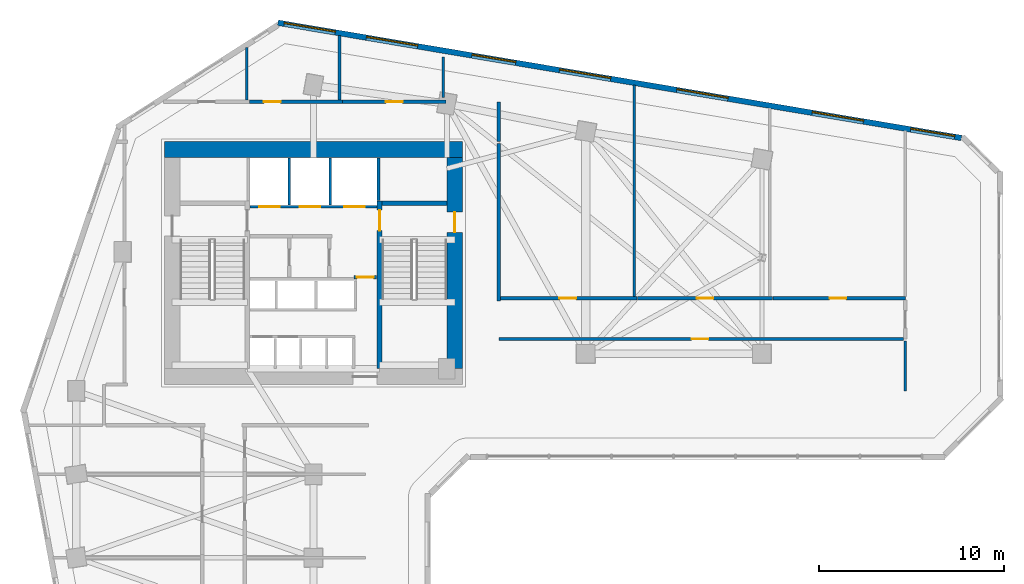
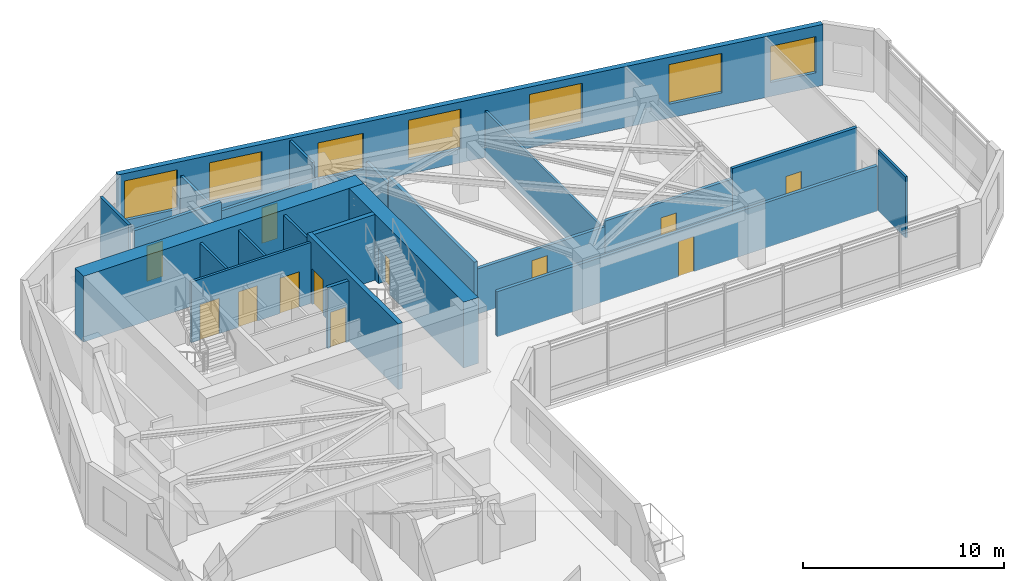
# One storey, part 8 of 11: 23 walls, 12 doors, 7 windows, 19 openings.
"""IFC4 building model written with IfcOpenShell, lengths in metres."""

from ifc_helpers import new_model, si_unit, direction, frame, frame_2d, origin, place, context, subcontext, project, spatial, rectangle, extrude, source, transform, mapped, material, layer, layer_set, type_object, element, fill, save


model = new_model("IFC4")

# Units and contexts
model_context = context("Model", 3, precision=1e-05, world=origin(), true_north=direction((0.0, 1.0)))
body_context = subcontext(model_context, "Body", "Model", "MODEL_VIEW")
ifc_project = project(units=[si_unit("LENGTHUNIT", "METRE"), si_unit("AREAUNIT", "SQUARE_METRE"), si_unit("VOLUMEUNIT", "CUBIC_METRE"), si_unit("PLANEANGLEUNIT", "RADIAN"), si_unit("MASSUNIT", "GRAM", prefix="KILO")], contexts=[model_context])

# Site, building, storey
site_placement = place(None, origin())
site = spatial("IfcSite", under=ifc_project, at=site_placement, CompositionType="ELEMENT")
building_placement = place(site_placement, origin())
building = spatial("IfcBuilding", under=site, at=building_placement, Name="Calvemar Wedge Station Tower", CompositionType="ELEMENT")
storey_placement = place(building_placement, frame((0.0, 0.0, 59.0)))
storey = spatial("IfcBuildingStorey", under=building, at=storey_placement, Name="L14", CompositionType="ELEMENT", Elevation=59.0)

# Wall, opening, door
ifc_material_1 = material(Name="Concrete C50", Category="concrete")
ifc_layer_1 = layer(ifc_material_1, 0.260009765625)
ifc_layer_set_1 = layer_set([ifc_layer_1], Name="Concrete C50")
wall_type_1 = type_object("IfcWallType", Name="SW-CORE-260", PredefinedType="SHEAR", material=ifc_layer_set_1)
wall_1_placement = place(storey_placement, frame((27.3701171875, 34.199951171875, 0.0), z_axis=(0.0, 0.0, 1.0), x_axis=(0.0, 1.0, 0.0)))
wall_1 = element("IfcWall", 1, at=wall_1_placement, inside=storey, type_object=wall_type_1, Name="Storey L14 Core Shear Wall SPINE-E", PredefinedType="SHEAR", context=body_context, shape_type="SweptSolid", body=[
    extrude(rectangle(XDim=9.06005859375, YDim=0.260009765625, at=frame_2d((4.530029296875, 0.0))), origin(), (0.0, 0.0, 1.0), 4.0),
])
shared_shape_1 = source(origin(), body_context, "Body", "SweptSolid", [
    extrude(rectangle(XDim=1.10009765625, YDim=2.14990234375, at=frame_2d((0.550048828125, 1.074951171875))), frame((0.0, 0.14013671875, 0.0), z_axis=(0.0, -1.0, 0.0), x_axis=(1.0, 0.0, 0.0)), (0.0, 0.0, 1.0), 0.280029296875),
])
opening_1_placement = place(wall_1_placement, frame((7.449951171875, 0.0, 0.0)))
opening_1 = element("IfcOpeningElement", 2, at=opening_1_placement, cuts=wall_1, Name="Opening FD-90", PredefinedType="OPENING", context=body_context, shape_type="MappedRepresentation", body=[
    mapped(shared_shape_1, transform((0.0, 0.0, 0.0), scale=1.0)),
])
ifc_material_2 = material(Name="Galvanized fire-rated steel door leaf P-90", Category="steel")
door_type_1 = type_object("IfcDoorType", Name="DR-FD90-1100", OperationType="NOTDEFINED", PredefinedType="DOOR", material=ifc_material_2)
shared_shape_2 = source(origin(), body_context, "Body", "SweptSolid", [
    extrude(rectangle(XDim=1.10009765625, YDim=2.14990234375, at=frame_2d((0.550048828125, 1.074951171875))), frame((0.0, 0.02490234375, 0.0), z_axis=(0.0, -1.0, 0.0), x_axis=(1.0, 0.0, 0.0)), (0.0, 0.0, 1.0), 0.050048828125),
])
door_1_placement = place(opening_1_placement, origin())
door_1 = element("IfcDoor", 3, at=door_1_placement, inside=storey, type_object=door_type_1, Name="L14 FF Lobby to Stair ST-C2 Door", OperationType="SINGLE_SWING_RIGHT", OverallHeight=2.14990234375, OverallWidth=1.10009765625, PredefinedType="DOOR", context=body_context, shape_type="MappedRepresentation", body=[
    mapped(shared_shape_2, transform((0.0, 0.0, 0.0), scale=1.0)),
])
fill(opening_1, door_1)

# Walls
wall_2_placement = place(storey_placement, frame((27.5, 43.1298828125, 0.0), z_axis=(0.0, 0.0, 1.0), x_axis=(1.0, 0.0, 0.0)))
element("IfcWall", 4, at=wall_2_placement, inside=storey, type_object=wall_type_1, Name="Storey L14 Core Shear Wall STC2-N", PredefinedType="SHEAR", context=body_context, shape_type="SweptSolid", body=[
    extrude(rectangle(XDim=3.5, YDim=0.260009765625, at=frame_2d((1.75, 0.0))), origin(), (0.0, 0.0, 1.0), 4.0),
])
ifc_material_3 = material(Name="Concrete C80", Category="concrete")
ifc_layer_2 = layer(ifc_material_3, 0.85009765625)
ifc_layer_set_2 = layer_set([ifc_layer_2], Name="Concrete C80")
wall_type_2 = type_object("IfcWallType", Name="SW-CORE-850", PredefinedType="SHEAR", material=ifc_layer_set_2)
wall_3_placement = place(storey_placement, frame((15.75, 46.02490234375, 0.0), z_axis=(0.0, 0.0, 1.0), x_axis=(1.0, 0.0, 0.0)))
element("IfcWall", 5, at=wall_3_placement, inside=storey, type_object=wall_type_2, Name="Storey L14 Core Shear Wall N", PredefinedType="SHEAR", context=body_context, shape_type="SweptSolid", body=[
    extrude(rectangle(XDim=16.10009765625, YDim=0.85009765625, at=frame_2d((8.050048828125, 0.0))), origin(), (0.0, 0.0, 1.0), 4.0),
])

# Wall, opening, door
wall_4_placement = place(storey_placement, frame((31.425048828125, 34.199951171875, 0.0), z_axis=(0.0, 0.0, 1.0), x_axis=(0.0, 1.0, 0.0)))
wall_4 = element("IfcWall", 6, at=wall_4_placement, inside=storey, type_object=wall_type_2, Name="Storey L14 Core Shear Wall E", PredefinedType="SHEAR", context=body_context, shape_type="SweptSolid", body=[
    extrude(rectangle(XDim=11.400146484375, YDim=0.85009765625, at=frame_2d((5.7001953125, 0.0))), origin(), (0.0, 0.0, 1.0), 4.0),
])
shared_shape_3 = source(origin(), body_context, "Body", "SweptSolid", [
    extrude(rectangle(XDim=1.10009765625, YDim=2.14990234375, at=frame_2d((0.550048828125, 1.074951171875))), frame((0.0, 0.43505859375, 0.0), z_axis=(0.0, -1.0, 0.0), x_axis=(1.0, 0.0, 0.0)), (0.0, 0.0, 1.0), 0.8701171875),
])
opening_2_placement = place(wall_4_placement, frame((7.35009765625, 0.0, 0.0)))
opening_2 = element("IfcOpeningElement", 7, at=opening_2_placement, cuts=wall_4, Name="Opening FD-90", PredefinedType="OPENING", context=body_context, shape_type="MappedRepresentation", body=[
    mapped(shared_shape_3, transform((0.0, 0.0, 0.0), scale=1.0)),
])
door_2_placement = place(opening_2_placement, origin())
door_2 = element("IfcDoor", 8, at=door_2_placement, inside=storey, type_object=door_type_1, Name="L14 East Corridor to Exit Stair ST-C2 Door", OperationType="SINGLE_SWING_RIGHT", OverallHeight=2.14990234375, OverallWidth=1.10009765625, PredefinedType="DOOR", context=body_context, shape_type="MappedRepresentation", body=[
    mapped(shared_shape_2, transform((0.0, 0.0, 0.0), scale=1.0)),
])
fill(opening_2, door_2)

ifc_material_4 = material(Name="Double-stud fire-rated corridor partition")
ifc_layer_3 = layer(ifc_material_4, 0.179931640625)
ifc_layer_set_3 = layer_set([ifc_layer_3], Name="Double-stud fire-rated corridor partition")
wall_type_3 = type_object("IfcWallType", Name="W-CORR-180", PredefinedType="PARTITIONING", material=ifc_layer_set_3)
wall_5_placement = place(storey_placement, frame((27.199951171875, 39.1298828125, 0.0), z_axis=(0.0, 0.0, 1.0), x_axis=(-1.0, 0.0, 0.0)))
wall_5 = element("IfcWall", 9, at=wall_5_placement, inside=storey, type_object=wall_type_3, Name="Storey L14 Interior Partition WL-L14-005", PredefinedType="PARTITIONING", context=body_context, shape_type="SweptSolid", body=[
    extrude(rectangle(XDim=1.2099609375, YDim=0.179931640625, at=frame_2d((0.60498046875, 0.0))), origin(), (0.0, 0.0, 1.0), 3.699951171875),
])
shared_shape_4 = source(origin(), body_context, "Body", "SweptSolid", [
    extrude(rectangle(XDim=0.89990234375, YDim=2.14990234375, at=frame_2d((0.449951171875, 1.074951171875))), frame((0.0, 0.10009765625, 0.0), z_axis=(0.0, -1.0, 0.0), x_axis=(1.0, 0.0, 0.0)), (0.0, 0.0, 1.0), 0.199951171875),
])
opening_3_placement = place(wall_5_placement, frame((0.155029296875, 0.0, 0.0)))
opening_3 = element("IfcOpeningElement", 10, at=opening_3_placement, cuts=wall_5, Name="Opening FD-60", PredefinedType="OPENING", context=body_context, shape_type="MappedRepresentation", body=[
    mapped(shared_shape_4, transform((0.0, 0.0, 0.0), scale=1.0)),
])
ifc_material_5 = material(Name="Fire-rated acoustic timber-core entrance door EI 60", Category="wood")
door_type_2 = type_object("IfcDoorType", Name="DR-FD60-900", OperationType="NOTDEFINED", PredefinedType="DOOR", material=ifc_material_5)
shared_shape_5 = source(origin(), body_context, "Body", "SweptSolid", [
    extrude(rectangle(XDim=0.89990234375, YDim=2.14990234375, at=frame_2d((0.449951171875, 1.074951171875))), frame((0.0, 0.02490234375, 0.0), z_axis=(0.0, -1.0, 0.0), x_axis=(1.0, 0.0, 0.0)), (0.0, 0.0, 1.0), 0.050048828125),
])
door_3_placement = place(opening_3_placement, origin())
door_3 = element("IfcDoor", 11, at=door_3_placement, inside=storey, type_object=door_type_2, Name="L14 Core Service Lobby Door", OperationType="SINGLE_SWING_LEFT", OverallHeight=2.14990234375, OverallWidth=0.89990234375, PredefinedType="DOOR", context=body_context, shape_type="MappedRepresentation", body=[
    mapped(shared_shape_5, transform((0.0, 0.0, 0.0), scale=1.0)),
])
fill(opening_3, door_3)

wall_6_placement = place(storey_placement, frame((20.362060546875, 48.60009765625, 0.0), z_axis=(0.0, 0.0, 1.0), x_axis=(1.0, 0.0, 0.0)))
wall_6 = element("IfcWall", 12, at=wall_6_placement, inside=storey, type_object=wall_type_3, Name="Storey L14 Interior Partition WL-L14-013", PredefinedType="PARTITIONING", context=body_context, shape_type="SweptSolid", body=[
    extrude(rectangle(XDim=4.998046875, YDim=0.179931640625, at=frame_2d((2.4990234375, 0.0))), origin(), (0.0, 0.0, 1.0), 3.384033203125),
])
opening_4_placement = place(wall_6_placement, frame((0.76806640625, 0.0, 0.0)))
opening_4 = element("IfcOpeningElement", 13, at=opening_4_placement, cuts=wall_6, Name="Opening D-01", PredefinedType="OPENING", context=body_context, shape_type="MappedRepresentation", body=[
    mapped(shared_shape_4, transform((0.0, 0.0, 0.0), scale=1.0)),
])
ifc_material_6 = material(Name="Architectural hardwood acoustic swing door", Category="wood")
door_type_3 = type_object("IfcDoorType", Name="DR-INT-900", OperationType="NOTDEFINED", PredefinedType="DOOR", material=ifc_material_6)
shared_shape_6 = source(origin(), body_context, "Body", "SweptSolid", [
    extrude(rectangle(XDim=0.89990234375, YDim=2.14990234375, at=frame_2d((0.449951171875, 1.074951171875))), frame((0.0, 0.02490234375, 0.0), z_axis=(0.0, -1.0, 0.0), x_axis=(1.0, 0.0, 0.0)), (0.0, 0.0, 1.0), 0.050048828125),
])
door_4_placement = place(opening_4_placement, origin())
door_4 = element("IfcDoor", 14, at=door_4_placement, inside=storey, type_object=door_type_3, Name="L14 Pantry Door", OperationType="SINGLE_SWING_RIGHT", OverallHeight=2.14990234375, OverallWidth=0.89990234375, PredefinedType="DOOR", context=body_context, shape_type="MappedRepresentation", body=[
    mapped(shared_shape_6, transform((0.0, 0.0, 0.0), scale=1.0)),
])
fill(opening_4, door_4)

wall_7_placement = place(storey_placement, frame((25.362060546875, 48.60009765625, 0.0), z_axis=(0.0, 0.0, 1.0), x_axis=(1.0, 0.0, 0.0)))
wall_7 = element("IfcWall", 15, at=wall_7_placement, inside=storey, type_object=wall_type_3, Name="Storey L14 Interior Partition WL-L14-014", PredefinedType="PARTITIONING", context=body_context, shape_type="SweptSolid", body=[
    extrude(rectangle(XDim=5.597900390625, YDim=0.179931640625, at=frame_2d((2.798828125, 0.0))), origin(), (0.0, 0.0, 1.0), 2.842041015625),
])
opening_5_placement = place(wall_7_placement, frame((2.34912109375, 0.0, 0.0)))
opening_5 = element("IfcOpeningElement", 16, at=opening_5_placement, cuts=wall_7, Name="Opening D-01", PredefinedType="OPENING", context=body_context, shape_type="MappedRepresentation", body=[
    mapped(shared_shape_4, transform((0.0, 0.0, 0.0), scale=1.0)),
])
door_5_placement = place(opening_5_placement, origin())
door_5 = element("IfcDoor", 17, at=door_5_placement, inside=storey, type_object=door_type_3, Name="L14 Female Toilet Door", OperationType="SINGLE_SWING_LEFT", OverallHeight=2.14990234375, OverallWidth=0.89990234375, PredefinedType="DOOR", context=body_context, shape_type="MappedRepresentation", body=[
    mapped(shared_shape_6, transform((0.0, 0.0, 0.0), scale=1.0)),
])
fill(opening_5, door_5)

# Walls
wall_8_placement = place(storey_placement, frame((33.800048828125, 48.60009765625, 0.0), z_axis=(0.0, 0.0, 1.0), x_axis=(0.0, -1.0, 0.0)))
element("IfcWall", 18, at=wall_8_placement, inside=storey, type_object=wall_type_3, Name="Storey L14 Interior Partition WL-L14-015", PredefinedType="PARTITIONING", context=body_context, shape_type="SweptSolid", body=[
    extrude(rectangle(XDim=2.150146484375, YDim=0.179931640625, at=frame_2d((1.0751953125, 0.0))), origin(), (0.0, 0.0, 1.0), 2.842041015625),
])
wall_9_placement = place(storey_placement, frame((33.800048828125, 46.35595703125, 0.0), z_axis=(0.0, 0.0, 1.0), x_axis=(0.0, -1.0, 0.0)))
element("IfcWall", 19, at=wall_9_placement, inside=storey, type_object=wall_type_3, Name="Storey L14 Interior Partition WL-L14-016", PredefinedType="PARTITIONING", context=body_context, shape_type="SweptSolid", body=[
    extrude(rectangle(XDim=8.515869140625, YDim=0.179931640625, at=frame_2d((4.2578125, 0.0))), origin(), (0.0, 0.0, 1.0), 3.27197265625),
])

# Wall, opening, door
wall_10_placement = place(storey_placement, frame((33.89404296875, 38.0, 0.0), z_axis=(0.0, 0.0, 1.0), x_axis=(1.0, 0.0, 0.0)))
wall_10 = element("IfcWall", 20, at=wall_10_placement, inside=storey, type_object=wall_type_3, Name="Storey L14 Interior Partition WL-L14-020", PredefinedType="PARTITIONING", context=body_context, shape_type="SweptSolid", body=[
    extrude(rectangle(XDim=7.3779296875, YDim=0.179931640625, at=frame_2d((3.68896484375, 0.0))), origin(), (0.0, 0.0, 1.0), 2.741943359375),
])
opening_6_placement = place(wall_10_placement, frame((3.1787109375, 0.0, 0.0)))
opening_6 = element("IfcOpeningElement", 21, at=opening_6_placement, cuts=wall_10, Name="Opening D-01", PredefinedType="OPENING", context=body_context, shape_type="MappedRepresentation", body=[
    mapped(shared_shape_4, transform((0.0, 0.0, 0.0), scale=1.0)),
])
door_6_placement = place(opening_6_placement, origin())
door_6 = element("IfcDoor", 22, at=door_6_placement, inside=storey, type_object=door_type_3, Name="L14 Co-Working Studio Door", OperationType="SINGLE_SWING_RIGHT", OverallHeight=2.14990234375, OverallWidth=0.89990234375, PredefinedType="DOOR", context=body_context, shape_type="MappedRepresentation", body=[
    mapped(shared_shape_6, transform((0.0, 0.0, 0.0), scale=1.0)),
])
fill(opening_6, door_6)

wall_11_placement = place(storey_placement, frame((41.27392578125, 38.0, 0.0), z_axis=(0.0, 0.0, 1.0), x_axis=(1.0, 0.0, 0.0)))
wall_11 = element("IfcWall", 23, at=wall_11_placement, inside=storey, type_object=wall_type_3, Name="Storey L14 Interior Partition WL-L14-021", PredefinedType="PARTITIONING", context=body_context, shape_type="SweptSolid", body=[
    extrude(rectangle(XDim=7.30908203125, YDim=0.179931640625, at=frame_2d((3.654541015625, 0.0))), origin(), (0.0, 0.0, 1.0), 3.074951171875),
])
opening_7_placement = place(wall_11_placement, frame((3.20458984375, 0.0, 0.0)))
opening_7 = element("IfcOpeningElement", 24, at=opening_7_placement, cuts=wall_11, Name="Opening D-01", PredefinedType="OPENING", context=body_context, shape_type="MappedRepresentation", body=[
    mapped(shared_shape_4, transform((0.0, 0.0, 0.0), scale=1.0)),
])
door_7_placement = place(opening_7_placement, origin())
door_7 = element("IfcDoor", 25, at=door_7_placement, inside=storey, type_object=door_type_3, Name="L14 Co-Working Studio Door", OperationType="SINGLE_SWING_LEFT", OverallHeight=2.14990234375, OverallWidth=0.89990234375, PredefinedType="DOOR", context=body_context, shape_type="MappedRepresentation", body=[
    mapped(shared_shape_6, transform((0.0, 0.0, 0.0), scale=1.0)),
])
fill(opening_7, door_7)

wall_12_placement = place(storey_placement, frame((48.5849609375, 38.0, 0.0), z_axis=(0.0, 0.0, 1.0), x_axis=(1.0, 0.0, 0.0)))
wall_12 = element("IfcWall", 26, at=wall_12_placement, inside=storey, type_object=wall_type_3, Name="Storey L14 Interior Partition WL-L14-022", PredefinedType="PARTITIONING", context=body_context, shape_type="SweptSolid", body=[
    extrude(rectangle(XDim=7.150146484375, YDim=0.179931640625, at=frame_2d((3.5751953125, 0.0))), origin(), (0.0, 0.0, 1.0), 3.699951171875),
])
opening_8_placement = place(wall_12_placement, frame((3.064453125, 0.0, 0.0)))
opening_8 = element("IfcOpeningElement", 27, at=opening_8_placement, cuts=wall_12, Name="Opening D-01", PredefinedType="OPENING", context=body_context, shape_type="MappedRepresentation", body=[
    mapped(shared_shape_4, transform((0.0, 0.0, 0.0), scale=1.0)),
])
door_8_placement = place(opening_8_placement, origin())
door_8 = element("IfcDoor", 28, at=door_8_placement, inside=storey, type_object=door_type_3, Name="L14 Meeting Room Door", OperationType="SINGLE_SWING_RIGHT", OverallHeight=2.14990234375, OverallWidth=0.89990234375, PredefinedType="DOOR", context=body_context, shape_type="MappedRepresentation", body=[
    mapped(shared_shape_6, transform((0.0, 0.0, 0.0), scale=1.0)),
])
fill(opening_8, door_8)

wall_13_placement = place(storey_placement, frame((55.64111328125, 35.800048828125, 0.0), z_axis=(0.0, 0.0, 1.0), x_axis=(-1.0, 0.0, 0.0)))
wall_13 = element("IfcWall", 29, at=wall_13_placement, inside=storey, type_object=wall_type_3, Name="Storey L14 Interior Partition WL-L14-024", PredefinedType="PARTITIONING", context=body_context, shape_type="SweptSolid", body=[
    extrude(rectangle(XDim=21.841064453125, YDim=0.179931640625, at=frame_2d((10.92041015625, 0.0))), origin(), (0.0, 0.0, 1.0), 2.741943359375),
])
opening_9_placement = place(wall_13_placement, frame((10.53076171875, 0.0, 0.0)))
opening_9 = element("IfcOpeningElement", 30, at=opening_9_placement, cuts=wall_13, Name="Opening D-01", PredefinedType="OPENING", context=body_context, shape_type="MappedRepresentation", body=[
    mapped(shared_shape_4, transform((0.0, 0.0, 0.0), scale=1.0)),
])
door_9_placement = place(opening_9_placement, origin())
door_9 = element("IfcDoor", 31, at=door_9_placement, inside=storey, type_object=door_type_3, Name="L14 Meeting Room Door", OperationType="SINGLE_SWING_RIGHT", OverallHeight=2.14990234375, OverallWidth=0.89990234375, PredefinedType="DOOR", context=body_context, shape_type="MappedRepresentation", body=[
    mapped(shared_shape_6, transform((0.0, 0.0, 0.0), scale=1.0)),
])
fill(opening_9, door_9)

# Wall, openings, windows
ifc_material_7 = material(Name="Precast concrete C45", Category="concrete")
ifc_layer_4 = layer(ifc_material_7, 0.300048828125)
ifc_layer_set_4 = layer_set([ifc_layer_4], Name="Precast concrete C45")
wall_type_4 = type_object("IfcWallType", Name="W-EXT-GFRC-300", PredefinedType="SOLIDWALL", material=ifc_layer_set_4)
wall_14_placement = place(storey_placement, frame((58.7607421875, 46.648193359375, 0.0), z_axis=(0.0, 0.0, 1.0), x_axis=(-0.98607502735, 0.166301053624, 0.0)))
wall_14 = element("IfcWall", 32, at=wall_14_placement, inside=storey, type_object=wall_type_4, Name="Storey L14 Bronze GFRC Exterior Wall 10", PredefinedType="SOLIDWALL", context=body_context, shape_type="SweptSolid", body=[
    extrude(rectangle(XDim=37.3974609375, YDim=0.300048828125, at=frame_2d((18.69873046875, 0.0))), origin(), (0.0, 0.0, 1.0), 3.699951171875),
])
shared_shape_7 = source(origin(), body_context, "Body", "SweptSolid", [
    extrude(rectangle(XDim=2.39990234375, YDim=2.199951171875, at=frame_2d((1.199951171875, 1.10009765625))), frame((0.0, 0.16015625, 0.0), z_axis=(0.0, -1.0, 0.0), x_axis=(1.0, 0.0, 0.0)), (0.0, 0.0, 1.0), 0.320068359375),
])
opening_10_placement = place(wall_14_placement, frame((0.375, 0.0, 0.85009765625)))
opening_10 = element("IfcOpeningElement", 33, at=opening_10_placement, cuts=wall_14, Name="Opening W1", PredefinedType="OPENING", context=body_context, shape_type="MappedRepresentation", body=[
    mapped(shared_shape_7, transform((0.0, 0.0, 0.0), scale=1.0)),
])
shared_shape_8 = source(origin(), body_context, "Body", "SweptSolid", [
    extrude(rectangle(XDim=2.800048828125, YDim=2.39990234375, at=frame_2d((1.39990234375, 1.199951171875))), frame((0.0, 0.16015625, 0.0), z_axis=(0.0, -1.0, 0.0), x_axis=(1.0, 0.0, 0.0)), (0.0, 0.0, 1.0), 0.320068359375),
])
opening_11_placement = place(wall_14_placement, frame((5.35693359375, 0.0, 0.85009765625)))
opening_11 = element("IfcOpeningElement", 34, at=opening_11_placement, cuts=wall_14, Name="Opening W6", PredefinedType="OPENING", context=body_context, shape_type="MappedRepresentation", body=[
    mapped(shared_shape_8, transform((0.0, 0.0, 0.0), scale=1.0)),
])
opening_12_placement = place(wall_14_placement, frame((12.77197265625, 0.0, 0.85009765625)))
opening_12 = element("IfcOpeningElement", 35, at=opening_12_placement, cuts=wall_14, Name="Opening W6", PredefinedType="OPENING", context=body_context, shape_type="MappedRepresentation", body=[
    mapped(shared_shape_8, transform((0.0, 0.0, 0.0), scale=1.0)),
])
opening_13_placement = place(wall_14_placement, frame((19.194091796875, 0.0, 0.85009765625)))
opening_13 = element("IfcOpeningElement", 36, at=opening_13_placement, cuts=wall_14, Name="Opening W6", PredefinedType="OPENING", context=body_context, shape_type="MappedRepresentation", body=[
    mapped(shared_shape_8, transform((0.0, 0.0, 0.0), scale=1.0)),
])
opening_14_placement = place(wall_14_placement, frame((24.384033203125, 0.0, 0.85009765625)))
opening_14 = element("IfcOpeningElement", 37, at=opening_14_placement, cuts=wall_14, Name="Opening W1", PredefinedType="OPENING", context=body_context, shape_type="MappedRepresentation", body=[
    mapped(shared_shape_7, transform((0.0, 0.0, 0.0), scale=1.0)),
])
opening_15_placement = place(wall_14_placement, frame((29.757080078125, 0.0, 0.85009765625)))
opening_15 = element("IfcOpeningElement", 38, at=opening_15_placement, cuts=wall_14, Name="Opening W6", PredefinedType="OPENING", context=body_context, shape_type="MappedRepresentation", body=[
    mapped(shared_shape_8, transform((0.0, 0.0, 0.0), scale=1.0)),
])
opening_16_placement = place(wall_14_placement, frame((34.256103515625, 0.0, 0.85009765625)))
opening_16 = element("IfcOpeningElement", 39, at=opening_16_placement, cuts=wall_14, Name="Opening W6", PredefinedType="OPENING", context=body_context, shape_type="MappedRepresentation", body=[
    mapped(shared_shape_8, transform((0.0, 0.0, 0.0), scale=1.0)),
])
ifc_material_8 = material(Name="Low-E laminated insulated glass", Category="glass")
window_type_1 = type_object("IfcWindowType", Name="WIN-EXT-6", PartitioningType="SINGLE_PANEL", PredefinedType="WINDOW", material=ifc_material_8)
shared_shape_9 = source(origin(), body_context, "Body", "SweptSolid", [
    extrude(rectangle(XDim=2.800048828125, YDim=2.39990234375, at=frame_2d((1.39990234375, 1.199951171875))), frame((0.0, -0.014892578125, 0.0), z_axis=(0.0, -1.0, 0.0), x_axis=(1.0, 0.0, 0.0)), (0.0, 0.0, 1.0), 0.06005859375),
])
window_1_placement = place(opening_11_placement, origin())
window_1 = element("IfcWindow", 40, at=window_1_placement, inside=storey, type_object=window_type_1, Name="Storey L14 Recessed Window 10.2", OverallHeight=2.39990234375, OverallWidth=2.800048828125, PartitioningType="SINGLE_PANEL", PredefinedType="WINDOW", context=body_context, shape_type="MappedRepresentation", body=[
    mapped(shared_shape_9, transform((0.0, 0.0, 0.0), scale=1.0)),
])
fill(opening_11, window_1)
window_2_placement = place(opening_12_placement, origin())
window_2 = element("IfcWindow", 41, at=window_2_placement, inside=storey, type_object=window_type_1, Name="Storey L14 Recessed Window 10.3", OverallHeight=2.39990234375, OverallWidth=2.800048828125, PartitioningType="SINGLE_PANEL", PredefinedType="WINDOW", context=body_context, shape_type="MappedRepresentation", body=[
    mapped(shared_shape_9, transform((0.0, 0.0, 0.0), scale=1.0)),
])
fill(opening_12, window_2)
window_3_placement = place(opening_13_placement, origin())
window_3 = element("IfcWindow", 42, at=window_3_placement, inside=storey, type_object=window_type_1, Name="Storey L14 Recessed Window 10.4", OverallHeight=2.39990234375, OverallWidth=2.800048828125, PartitioningType="SINGLE_PANEL", PredefinedType="WINDOW", context=body_context, shape_type="MappedRepresentation", body=[
    mapped(shared_shape_9, transform((0.0, 0.0, 0.0), scale=1.0)),
])
fill(opening_13, window_3)
window_4_placement = place(opening_15_placement, origin())
window_4 = element("IfcWindow", 43, at=window_4_placement, inside=storey, type_object=window_type_1, Name="Storey L14 Recessed Window 10.6", OverallHeight=2.39990234375, OverallWidth=2.800048828125, PartitioningType="SINGLE_PANEL", PredefinedType="WINDOW", context=body_context, shape_type="MappedRepresentation", body=[
    mapped(shared_shape_9, transform((0.0, 0.0, 0.0), scale=1.0)),
])
fill(opening_15, window_4)
window_5_placement = place(opening_16_placement, origin())
window_5 = element("IfcWindow", 44, at=window_5_placement, inside=storey, type_object=window_type_1, Name="Storey L14 Recessed Window 10.7", OverallHeight=2.39990234375, OverallWidth=2.800048828125, PartitioningType="SINGLE_PANEL", PredefinedType="WINDOW", context=body_context, shape_type="MappedRepresentation", body=[
    mapped(shared_shape_9, transform((0.0, 0.0, 0.0), scale=1.0)),
])
fill(opening_16, window_5)
window_type_2 = type_object("IfcWindowType", Name="WIN-EXT-1", PartitioningType="SINGLE_PANEL", PredefinedType="WINDOW", material=ifc_material_8)
shared_shape_10 = source(origin(), body_context, "Body", "SweptSolid", [
    extrude(rectangle(XDim=2.39990234375, YDim=2.199951171875, at=frame_2d((1.199951171875, 1.10009765625))), frame((0.0, -0.014892578125, 0.0), z_axis=(0.0, -1.0, 0.0), x_axis=(1.0, 0.0, 0.0)), (0.0, 0.0, 1.0), 0.06005859375),
])
window_6_placement = place(opening_10_placement, origin())
window_6 = element("IfcWindow", 45, at=window_6_placement, inside=storey, type_object=window_type_2, Name="Storey L14 Recessed Window 10.1", OverallHeight=2.199951171875, OverallWidth=2.39990234375, PartitioningType="SINGLE_PANEL", PredefinedType="WINDOW", context=body_context, shape_type="MappedRepresentation", body=[
    mapped(shared_shape_10, transform((0.0, 0.0, 0.0), scale=1.0)),
])
fill(opening_10, window_6)
window_7_placement = place(opening_14_placement, origin())
window_7 = element("IfcWindow", 46, at=window_7_placement, inside=storey, type_object=window_type_2, Name="Storey L14 Recessed Window 10.5", OverallHeight=2.199951171875, OverallWidth=2.39990234375, PartitioningType="SINGLE_PANEL", PredefinedType="WINDOW", context=body_context, shape_type="MappedRepresentation", body=[
    mapped(shared_shape_10, transform((0.0, 0.0, 0.0), scale=1.0)),
])
fill(opening_14, window_7)

# Wall, openings, doors
ifc_material_9 = material(Name="Reinforced concrete blockwork lift shaft wall", Category="masonry")
ifc_layer_5 = layer(ifc_material_9, 0.139892578125)
ifc_layer_set_5 = layer_set([ifc_layer_5], Name="Reinforced concrete blockwork lift shaft wall")
wall_type_5 = type_object("IfcWallType", Name="W-LIFT-160", PredefinedType="SOLIDWALL", material=ifc_layer_set_5)
wall_15_placement = place(storey_placement, frame((20.3701171875, 42.929931640625, 0.0), z_axis=(0.0, 0.0, 1.0), x_axis=(1.0, 0.0, 0.0)))
wall_15 = element("IfcWall", 47, at=wall_15_placement, inside=storey, type_object=wall_type_5, Name="Storey L14 Firefighting and Service Lift Shaft Front Wall", PredefinedType="SOLIDWALL", context=body_context, shape_type="SweptSolid", body=[
    extrude(rectangle(XDim=6.85986328125, YDim=0.139892578125, at=frame_2d((3.429931640625, 0.0))), origin(), (0.0, 0.0, 1.0), 3.699951171875),
])
shared_shape_11 = source(origin(), body_context, "Body", "SweptSolid", [
    extrude(rectangle(XDim=1.10009765625, YDim=2.14990234375, at=frame_2d((0.550048828125, 1.074951171875))), frame((0.0, 0.080078125, 0.0), z_axis=(0.0, -1.0, 0.0), x_axis=(1.0, 0.0, 0.0)), (0.0, 0.0, 1.0), 0.159912109375),
])
opening_17_placement = place(wall_15_placement, frame((0.5, 0.0, 0.0)))
opening_17 = element("IfcOpeningElement", 48, at=opening_17_placement, cuts=wall_15, Name="Opening LD-FF", PredefinedType="OPENING", context=body_context, shape_type="MappedRepresentation", body=[
    mapped(shared_shape_11, transform((0.0, 0.0, 0.0), scale=1.0)),
])
opening_18_placement = place(wall_15_placement, frame((2.699951171875, 0.0, 0.0)))
opening_18 = element("IfcOpeningElement", 49, at=opening_18_placement, cuts=wall_15, Name="Opening LD-FF", PredefinedType="OPENING", context=body_context, shape_type="MappedRepresentation", body=[
    mapped(shared_shape_11, transform((0.0, 0.0, 0.0), scale=1.0)),
])
opening_19_placement = place(wall_15_placement, frame((5.10009765625, 0.0, 0.0)))
opening_19 = element("IfcOpeningElement", 50, at=opening_19_placement, cuts=wall_15, Name="Opening LD-STN", PredefinedType="OPENING", context=body_context, shape_type="MappedRepresentation", body=[
    mapped(shared_shape_11, transform((0.0, 0.0, 0.0), scale=1.0)),
])
ifc_material_10 = material(Name="Stainless steel firefighting lift sliding landing door", Category="steel")
door_type_4 = type_object("IfcDoorType", Name="DR-LD-FF-1100", OperationType="SLIDING_TO_LEFT", PredefinedType="DOOR", material=ifc_material_10)
shared_shape_12 = source(origin(), body_context, "Body", "SweptSolid", [
    extrude(rectangle(XDim=1.10009765625, YDim=2.14990234375, at=frame_2d((0.550048828125, 1.074951171875))), frame((0.0, 0.02490234375, 0.0), z_axis=(0.0, -1.0, 0.0), x_axis=(1.0, 0.0, 0.0)), (0.0, 0.0, 1.0), 0.050048828125),
])
door_10_placement = place(opening_17_placement, origin())
door_10 = element("IfcDoor", 51, at=door_10_placement, inside=storey, type_object=door_type_4, Name="L14 Lift FF-01 Sliding Landing Door", OperationType="SLIDING_TO_LEFT", OverallHeight=2.14990234375, OverallWidth=1.10009765625, PredefinedType="DOOR", context=body_context, shape_type="MappedRepresentation", body=[
    mapped(shared_shape_12, transform((0.0, 0.0, 0.0), scale=1.0)),
])
fill(opening_17, door_10)
door_11_placement = place(opening_18_placement, origin())
door_11 = element("IfcDoor", 52, at=door_11_placement, inside=storey, type_object=door_type_4, Name="L14 Lift FF-02 Sliding Landing Door", OperationType="SLIDING_TO_RIGHT", OverallHeight=2.14990234375, OverallWidth=1.10009765625, PredefinedType="DOOR", context=body_context, shape_type="MappedRepresentation", body=[
    mapped(shared_shape_12, transform((0.0, 0.0, 0.0), scale=1.0)),
])
fill(opening_18, door_11)
ifc_material_11 = material(Name="Stainless steel transit lift sliding landing door", Category="steel")
door_type_5 = type_object("IfcDoorType", Name="DR-LD-PAX-1100", OperationType="SLIDING_TO_LEFT", PredefinedType="DOOR", material=ifc_material_11)
shared_shape_13 = source(origin(), body_context, "Body", "SweptSolid", [
    extrude(rectangle(XDim=1.10009765625, YDim=2.14990234375, at=frame_2d((0.550048828125, 1.074951171875))), frame((0.0, 0.02490234375, 0.0), z_axis=(0.0, -1.0, 0.0), x_axis=(1.0, 0.0, 0.0)), (0.0, 0.0, 1.0), 0.050048828125),
])
door_12_placement = place(opening_19_placement, origin())
door_12 = element("IfcDoor", 53, at=door_12_placement, inside=storey, type_object=door_type_5, Name="L14 Lift SV-01 Sliding Landing Door", OperationType="SLIDING_TO_LEFT", OverallHeight=2.14990234375, OverallWidth=1.10009765625, PredefinedType="DOOR", context=body_context, shape_type="MappedRepresentation", body=[
    mapped(shared_shape_13, transform((0.0, 0.0, 0.0), scale=1.0)),
])
fill(opening_19, door_12)

# Walls
wall_16_placement = place(storey_placement, frame((27.31005859375, 43.280029296875, 0.0), z_axis=(0.0, 0.0, 1.0), x_axis=(0.0, 1.0, 0.0)))
element("IfcWall", 54, at=wall_16_placement, inside=storey, type_object=wall_type_5, Name="Storey L14 Firefighting Lift Shaft Enclosure Wall E", PredefinedType="SOLIDWALL", context=body_context, shape_type="SweptSolid", body=[
    extrude(rectangle(XDim=2.300048828125, YDim=0.139892578125, at=frame_2d((1.14990234375, 0.0))), origin(), (0.0, 0.0, 1.0), 3.699951171875),
])
for number, where, z_axis, x_axis, name in (
    (55, (22.5, 43.02001953125, 0.0), (0.0, 0.0, 1.0), (0.0, 1.0, 0.0), "Storey L14 Firefighting Lift Shaft Enclosure Wall D1"),
    (56, (24.699951171875, 43.02001953125, 0.0), (0.0, 0.0, 1.0), (0.0, 1.0, 0.0), "Storey L14 Firefighting Lift Shaft Enclosure Wall D2"),
):
    element("IfcWall", number, at=place(storey_placement, frame(where, z_axis=z_axis, x_axis=x_axis)), inside=storey, type_object=wall_type_5, Name=name, PredefinedType="SOLIDWALL", context=body_context, shape_type="SweptSolid", body=[
        extrude(rectangle(XDim=2.56005859375, YDim=0.139892578125, at=frame_2d((1.280029296875, 0.0))), origin(), (0.0, 0.0, 1.0), 3.699951171875),
    ])
ifc_material_12 = material(Name="Insulated acoustic gypsum stud partition")
ifc_layer_6 = layer(ifc_material_12, 0.125)
ifc_layer_set_6 = layer_set([ifc_layer_6], Name="Insulated acoustic gypsum stud partition")
wall_type_6 = type_object("IfcWallType", Name="W-PART-125", PredefinedType="PARTITIONING", material=ifc_layer_set_6)
wall_17_placement = place(storey_placement, frame((41.112060546875, 49.508056640625, 0.0), z_axis=(0.0, 0.0, 1.0), x_axis=(0.0, -1.0, 0.0)))
element("IfcWall", 57, at=wall_17_placement, inside=storey, type_object=wall_type_6, Name="Storey L14 Interior Partition WL-L14-025", PredefinedType="PARTITIONING", context=body_context, shape_type="SweptSolid", body=[
    extrude(rectangle(XDim=11.4140625, YDim=0.125, at=frame_2d((5.70703125, 0.0))), origin(), (0.0, 0.0, 1.0), 2.842041015625),
])
wall_18_placement = place(storey_placement, frame((55.735107421875, 33.0, 0.0), z_axis=(0.0, 0.0, 1.0), x_axis=(0.0, 1.0, 0.0)))
element("IfcWall", 58, at=wall_18_placement, inside=storey, type_object=wall_type_6, Name="Storey L14 Interior Partition WL-L14-028", PredefinedType="PARTITIONING", context=body_context, shape_type="SweptSolid", body=[
    extrude(rectangle(XDim=2.7060546875, YDim=0.125, at=frame_2d((1.35302734375, 0.0))), origin(), (0.0, 0.0, 1.0), 3.699951171875),
])
ifc_material_13 = material(Name="Moisture-resistant acoustic bathroom partition")
ifc_layer_7 = layer(ifc_material_13, 0.14990234375)
ifc_layer_set_7 = layer_set([ifc_layer_7], Name="Moisture-resistant acoustic bathroom partition")
wall_type_7 = type_object("IfcWallType", Name="W-WET-150", PredefinedType="PARTITIONING", material=ifc_layer_set_7)
wall_19_placement = place(storey_placement, frame((20.199951171875, 51.540283203125, 0.0), z_axis=(0.0, 0.0, 1.0), x_axis=(0.0, -1.0, 0.0)))
element("IfcWall", 59, at=wall_19_placement, inside=storey, type_object=wall_type_7, Name="Storey L14 Interior Partition WL-L14-018", PredefinedType="PARTITIONING", context=body_context, shape_type="SweptSolid", body=[
    extrude(rectangle(XDim=2.84619140625, YDim=0.14990234375, at=frame_2d((1.423095703125, 0.0))), origin(), (0.0, 0.0, 1.0), 3.699951171875),
])
wall_20_placement = place(storey_placement, frame((25.199951171875, 52.191650390625, 0.0), z_axis=(0.0, 0.0, 1.0), x_axis=(0.0, -1.0, 0.0)))
element("IfcWall", 60, at=wall_20_placement, inside=storey, type_object=wall_type_7, Name="Storey L14 Interior Partition WL-L14-019", PredefinedType="PARTITIONING", context=body_context, shape_type="SweptSolid", body=[
    extrude(rectangle(XDim=3.49755859375, YDim=0.14990234375, at=frame_2d((1.748779296875, 0.0))), origin(), (0.0, 0.0, 1.0), 2.842041015625),
])
wall_21_placement = place(storey_placement, frame((30.800048828125, 51.02392578125, 0.0), z_axis=(0.0, 0.0, 1.0), x_axis=(0.0, -1.0, 0.0)))
element("IfcWall", 61, at=wall_21_placement, inside=storey, type_object=wall_type_7, Name="Storey L14 Bathroom Enclosure Wall WL-L14-046", PredefinedType="PARTITIONING", context=body_context, shape_type="SweptSolid", body=[
    extrude(rectangle(XDim=2.203857421875, YDim=0.14990234375, at=frame_2d((1.10205078125, 0.0))), origin(), (0.0, 0.0, 1.0), 3.699951171875),
])

save(model, "model.ifc")
